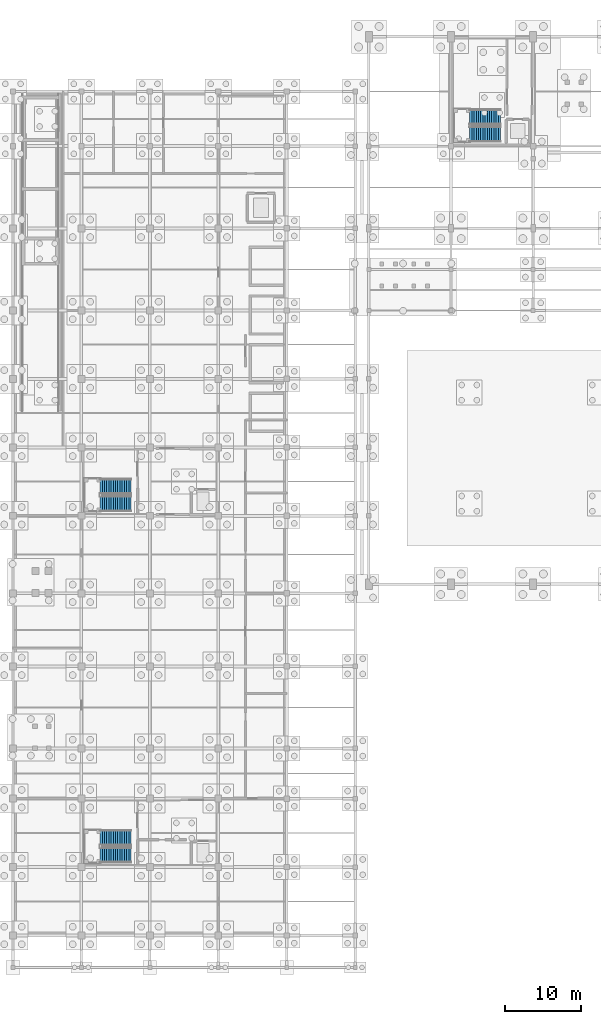
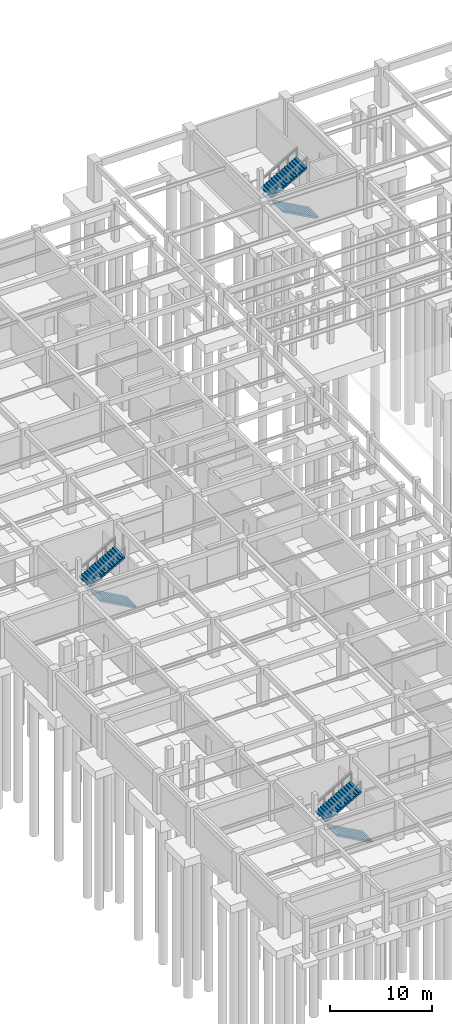
# One storey, part 28 of 33: 6 stair flights, 3 elements without a shape of their own.
"""IFC4 building model written with IfcOpenShell, lengths in metres."""

from ifc_helpers import new_model, si_unit, direction, frame, origin, place, context, subcontext, project, spatial, polyline, outline, extrude, material, type_object, element, aggregate, save


model = new_model("IFC4")

# Units and contexts
model_context = context("Model", 3, precision=1e-05, world=origin(), true_north=direction((0.0, 1.0)))
body_context = subcontext(model_context, "Body", "Model", "MODEL_VIEW")
ifc_project = project(units=[si_unit("LENGTHUNIT", "METRE"), si_unit("AREAUNIT", "SQUARE_METRE"), si_unit("VOLUMEUNIT", "CUBIC_METRE"), si_unit("PLANEANGLEUNIT", "RADIAN"), si_unit("MASSUNIT", "GRAM", prefix="KILO")], contexts=[model_context])

# Site, building, storey
site_placement = place(None, origin())
site = spatial("IfcSite", under=ifc_project, at=site_placement, CompositionType="ELEMENT")
building_placement = place(site_placement, origin())
building = spatial("IfcBuilding", under=site, at=building_placement, Name="Suirenkawa Promenade Aquatics Centre", CompositionType="ELEMENT")
storey_placement = place(building_placement, frame((0.0, 0.0, -4.800048828125)))
storey = spatial("IfcBuildingStorey", under=building, at=storey_placement, Name="B1", CompositionType="ELEMENT", Elevation=-4.800048828125)

# Stair, stair flights
ifc_material = material(Name="Concrete M40", Category="concrete")
stair_type = type_object("IfcStairType", Name="STT-CORE-2100-480", PredefinedType="TWO_STRAIGHT_RUN_STAIR", material=ifc_material)
stair_1_placement = place(storey_placement, origin())
stair_1 = element("IfcStair", 1, at=stair_1_placement, inside=storey, type_object=stair_type, Name="Protected exit stair STR-01 ST-01", PredefinedType="TWO_STRAIGHT_RUN_STAIR")
stair_flight_type = type_object("IfcStairFlightType", Name="SFT-FLIGHT-2100", PredefinedType="STRAIGHT", material=ifc_material)
stair_flight_1_placement = place(storey_placement, frame((15.514892578125, 14.780029296875, 0.0), z_axis=(0.0, 0.0, 1.0), x_axis=(-1.0, 0.0, 0.0)))
stair_flight_1 = element("IfcStairFlight", 2, at=stair_flight_1_placement, type_object=stair_flight_type, Name="Stair flight SFL-01 FL-001", NumberOfRisers=15, NumberOfTreads=14, PredefinedType="STRAIGHT", RiserHeight=0.16, TreadLength=0.29, context=body_context, shape_type="SweptSolid", body=[
    extrude(outline(polyline([(0.0, 0.0), (0.0, 0.159912109375), (0.2900390625, 0.159912109375), (0.2900390625, 0.320068359375), (0.580078125, 0.320068359375), (0.580078125, 0.47998046875), (0.8701171875, 0.47998046875), (0.8701171875, 0.639892578125), (1.159912109375, 0.639892578125), (1.159912109375, 0.800048828125), (1.449951171875, 0.800048828125), (1.449951171875, 0.9599609375), (1.739990234375, 0.9599609375), (1.739990234375, 1.1201171875), (2.030029296875, 1.1201171875), (2.030029296875, 1.280029296875), (2.320068359375, 1.280029296875), (2.320068359375, 1.43994140625), (2.610107421875, 1.43994140625), (2.610107421875, 1.60009765625), (2.89990234375, 1.60009765625), (2.89990234375, 1.760009765625), (3.18994140625, 1.760009765625), (3.18994140625, 1.919921875), (3.47998046875, 1.919921875), (3.47998046875, 2.080078125), (3.77001953125, 2.080078125), (3.77001953125, 2.239990234375), (4.06005859375, 2.239990234375), (4.06005859375, 2.39990234375), (4.06005859375, 2.0458984375), (0.351806640625, 0.0), (0.0, 0.0)])), frame((0.0, 1.010009765625, 0.0), z_axis=(0.0, -1.0, 0.0), x_axis=(1.0, 0.0, 0.0)), (0.0, 0.0, 1.0), 2.02001953125),
])
stair_flight_2_placement = place(storey_placement, frame((11.455078125, 17.050048828125, 2.400146484375), z_axis=(0.0, 0.0, 1.0), x_axis=(1.0, 0.0, 0.0)))
stair_flight_2 = element("IfcStairFlight", 3, at=stair_flight_2_placement, type_object=stair_flight_type, Name="Stair flight SFL-01 FL-002", NumberOfRisers=15, NumberOfTreads=14, PredefinedType="STRAIGHT", RiserHeight=0.16, TreadLength=0.29, context=body_context, shape_type="SweptSolid", body=[
    extrude(outline(polyline([(0.0, 0.0), (0.0, 0.159912109375), (0.2900390625, 0.159912109375), (0.2900390625, 0.320068359375), (0.580078125, 0.320068359375), (0.580078125, 0.47998046875), (0.8701171875, 0.47998046875), (0.8701171875, 0.639892578125), (1.159912109375, 0.639892578125), (1.159912109375, 0.800048828125), (1.449951171875, 0.800048828125), (1.449951171875, 0.9599609375), (1.739990234375, 0.9599609375), (1.739990234375, 1.1201171875), (2.030029296875, 1.1201171875), (2.030029296875, 1.280029296875), (2.320068359375, 1.280029296875), (2.320068359375, 1.43994140625), (2.610107421875, 1.43994140625), (2.610107421875, 1.60009765625), (2.89990234375, 1.60009765625), (2.89990234375, 1.760009765625), (3.18994140625, 1.760009765625), (3.18994140625, 1.919921875), (3.47998046875, 1.919921875), (3.47998046875, 2.080078125), (3.77001953125, 2.080078125), (3.77001953125, 2.239990234375), (4.06005859375, 2.239990234375), (4.06005859375, 2.39990234375), (4.06005859375, 2.0458984375), (0.351806640625, 0.0), (0.0, 0.0)])), frame((0.0, 1.010009765625, 0.0), z_axis=(0.0, -1.0, 0.0), x_axis=(1.0, 0.0, 0.0)), (0.0, 0.0, 1.0), 2.02001953125),
])
aggregate(stair_1, [stair_flight_1, stair_flight_2])

stair_2_placement = place(storey_placement, origin())
stair_2 = element("IfcStair", 4, at=stair_2_placement, inside=storey, type_object=stair_type, Name="Protected exit stair STR-01 ST-06", PredefinedType="TWO_STRAIGHT_RUN_STAIR")
stair_flight_3_placement = place(storey_placement, frame((15.514892578125, 60.97998046875, 0.0), z_axis=(0.0, 0.0, 1.0), x_axis=(-1.0, 0.0, 0.0)))
stair_flight_3 = element("IfcStairFlight", 5, at=stair_flight_3_placement, type_object=stair_flight_type, Name="Stair flight SFL-01 FL-011", NumberOfRisers=15, NumberOfTreads=14, PredefinedType="STRAIGHT", RiserHeight=0.16, TreadLength=0.29, context=body_context, shape_type="SweptSolid", body=[
    extrude(outline(polyline([(0.0, 0.0), (0.0, 0.159912109375), (0.2900390625, 0.159912109375), (0.2900390625, 0.320068359375), (0.580078125, 0.320068359375), (0.580078125, 0.47998046875), (0.8701171875, 0.47998046875), (0.8701171875, 0.639892578125), (1.159912109375, 0.639892578125), (1.159912109375, 0.800048828125), (1.449951171875, 0.800048828125), (1.449951171875, 0.9599609375), (1.739990234375, 0.9599609375), (1.739990234375, 1.1201171875), (2.030029296875, 1.1201171875), (2.030029296875, 1.280029296875), (2.320068359375, 1.280029296875), (2.320068359375, 1.43994140625), (2.610107421875, 1.43994140625), (2.610107421875, 1.60009765625), (2.89990234375, 1.60009765625), (2.89990234375, 1.760009765625), (3.18994140625, 1.760009765625), (3.18994140625, 1.919921875), (3.47998046875, 1.919921875), (3.47998046875, 2.080078125), (3.77001953125, 2.080078125), (3.77001953125, 2.239990234375), (4.06005859375, 2.239990234375), (4.06005859375, 2.39990234375), (4.06005859375, 2.0458984375), (0.351806640625, 0.0), (0.0, 0.0)])), frame((0.0, 1.010009765625, 0.0), z_axis=(0.0, -1.0, 0.0), x_axis=(1.0, 0.0, 0.0)), (0.0, 0.0, 1.0), 2.02001953125),
])
stair_flight_4_placement = place(storey_placement, frame((11.455078125, 63.25, 2.400146484375), z_axis=(0.0, 0.0, 1.0), x_axis=(1.0, 0.0, 0.0)))
stair_flight_4 = element("IfcStairFlight", 6, at=stair_flight_4_placement, type_object=stair_flight_type, Name="Stair flight SFL-01 FL-012", NumberOfRisers=15, NumberOfTreads=14, PredefinedType="STRAIGHT", RiserHeight=0.16, TreadLength=0.29, context=body_context, shape_type="SweptSolid", body=[
    extrude(outline(polyline([(0.0, 0.0), (0.0, 0.159912109375), (0.2900390625, 0.159912109375), (0.2900390625, 0.320068359375), (0.580078125, 0.320068359375), (0.580078125, 0.47998046875), (0.8701171875, 0.47998046875), (0.8701171875, 0.639892578125), (1.159912109375, 0.639892578125), (1.159912109375, 0.800048828125), (1.449951171875, 0.800048828125), (1.449951171875, 0.9599609375), (1.739990234375, 0.9599609375), (1.739990234375, 1.1201171875), (2.030029296875, 1.1201171875), (2.030029296875, 1.280029296875), (2.320068359375, 1.280029296875), (2.320068359375, 1.43994140625), (2.610107421875, 1.43994140625), (2.610107421875, 1.60009765625), (2.89990234375, 1.60009765625), (2.89990234375, 1.760009765625), (3.18994140625, 1.760009765625), (3.18994140625, 1.919921875), (3.47998046875, 1.919921875), (3.47998046875, 2.080078125), (3.77001953125, 2.080078125), (3.77001953125, 2.239990234375), (4.06005859375, 2.239990234375), (4.06005859375, 2.39990234375), (4.06005859375, 2.0458984375), (0.351806640625, 0.0), (0.0, 0.0)])), frame((0.0, 1.010009765625, 0.0), z_axis=(0.0, -1.0, 0.0), x_axis=(1.0, 0.0, 0.0)), (0.0, 0.0, 1.0), 2.02001953125),
])
aggregate(stair_2, [stair_flight_3, stair_flight_4])

stair_3_placement = place(storey_placement, origin())
stair_3 = element("IfcStair", 7, at=stair_3_placement, inside=storey, type_object=stair_type, Name="Protected exit stair STR-01 ST-11", PredefinedType="TWO_STRAIGHT_RUN_STAIR")
stair_flight_5_placement = place(storey_placement, frame((64.114990234375, 109.580078125, 0.0), z_axis=(0.0, 0.0, 1.0), x_axis=(-1.0, 0.0, 0.0)))
stair_flight_5 = element("IfcStairFlight", 8, at=stair_flight_5_placement, type_object=stair_flight_type, Name="Stair flight SFL-01 FL-021", NumberOfRisers=15, NumberOfTreads=14, PredefinedType="STRAIGHT", RiserHeight=0.16, TreadLength=0.29, context=body_context, shape_type="SweptSolid", body=[
    extrude(outline(polyline([(0.0, 0.0), (0.0, 0.159912109375), (0.2900390625, 0.159912109375), (0.2900390625, 0.320068359375), (0.580078125, 0.320068359375), (0.580078125, 0.47998046875), (0.8701171875, 0.47998046875), (0.8701171875, 0.639892578125), (1.159912109375, 0.639892578125), (1.159912109375, 0.800048828125), (1.449951171875, 0.800048828125), (1.449951171875, 0.9599609375), (1.739990234375, 0.9599609375), (1.739990234375, 1.1201171875), (2.030029296875, 1.1201171875), (2.030029296875, 1.280029296875), (2.320068359375, 1.280029296875), (2.320068359375, 1.43994140625), (2.610107421875, 1.43994140625), (2.610107421875, 1.60009765625), (2.89990234375, 1.60009765625), (2.89990234375, 1.760009765625), (3.18994140625, 1.760009765625), (3.18994140625, 1.919921875), (3.47998046875, 1.919921875), (3.47998046875, 2.080078125), (3.77001953125, 2.080078125), (3.77001953125, 2.239990234375), (4.06005859375, 2.239990234375), (4.06005859375, 2.39990234375), (4.06005859375, 2.0458984375), (0.351806640625, 0.0), (0.0, 0.0)])), frame((0.0, 1.010009765625, 0.0), z_axis=(0.0, -1.0, 0.0), x_axis=(1.0, 0.0, 0.0)), (0.0, 0.0, 1.0), 2.02001953125),
])
stair_flight_6_placement = place(storey_placement, frame((60.054931640625, 111.85009765625, 2.400146484375), z_axis=(0.0, 0.0, 1.0), x_axis=(1.0, 0.0, 0.0)))
stair_flight_6 = element("IfcStairFlight", 9, at=stair_flight_6_placement, type_object=stair_flight_type, Name="Stair flight SFL-01 FL-022", NumberOfRisers=15, NumberOfTreads=14, PredefinedType="STRAIGHT", RiserHeight=0.16, TreadLength=0.29, context=body_context, shape_type="SweptSolid", body=[
    extrude(outline(polyline([(0.0, 0.0), (0.0, 0.159912109375), (0.2900390625, 0.159912109375), (0.2900390625, 0.320068359375), (0.580078125, 0.320068359375), (0.580078125, 0.47998046875), (0.8701171875, 0.47998046875), (0.8701171875, 0.639892578125), (1.159912109375, 0.639892578125), (1.159912109375, 0.800048828125), (1.449951171875, 0.800048828125), (1.449951171875, 0.9599609375), (1.739990234375, 0.9599609375), (1.739990234375, 1.1201171875), (2.030029296875, 1.1201171875), (2.030029296875, 1.280029296875), (2.320068359375, 1.280029296875), (2.320068359375, 1.43994140625), (2.610107421875, 1.43994140625), (2.610107421875, 1.60009765625), (2.89990234375, 1.60009765625), (2.89990234375, 1.760009765625), (3.18994140625, 1.760009765625), (3.18994140625, 1.919921875), (3.47998046875, 1.919921875), (3.47998046875, 2.080078125), (3.77001953125, 2.080078125), (3.77001953125, 2.239990234375), (4.06005859375, 2.239990234375), (4.06005859375, 2.39990234375), (4.06005859375, 2.0458984375), (0.351806640625, 0.0), (0.0, 0.0)])), frame((0.0, 1.010009765625, 0.0), z_axis=(0.0, -1.0, 0.0), x_axis=(1.0, 0.0, 0.0)), (0.0, 0.0, 1.0), 2.02001953125),
])
aggregate(stair_3, [stair_flight_5, stair_flight_6])

save(model, "model.ifc")
